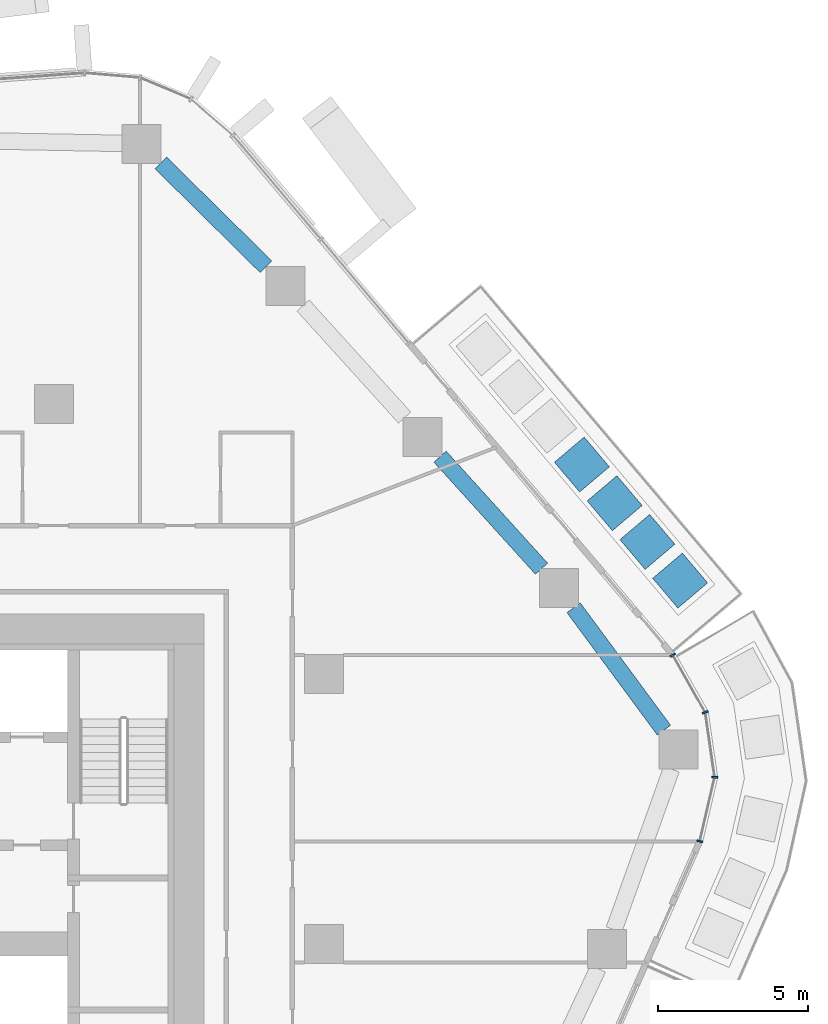
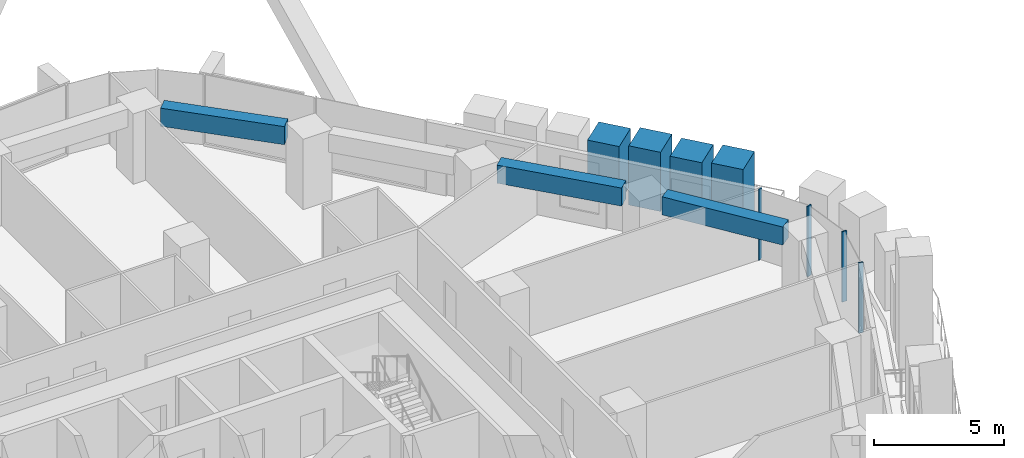
# One storey, part 8 of 24: 8 members, 3 beams, 1 element without a shape of its own.
"""IFC4 building model written with IfcOpenShell, lengths in metres."""

from ifc_helpers import new_model, si_unit, direction, frame, origin, origin_2d, place, context, subcontext, project, spatial, rectangle, extrude, material, layer, layer_set, material_profile, profile_set, type_object, element, aggregate, save


model = new_model("IFC4")

# Units and contexts
model_context = context("Model", 3, precision=1e-05, world=origin(), true_north=direction((0.0, 1.0)))
body_context = subcontext(model_context, "Body", "Model", "MODEL_VIEW")
ifc_project = project(units=[si_unit("LENGTHUNIT", "METRE"), si_unit("AREAUNIT", "SQUARE_METRE"), si_unit("VOLUMEUNIT", "CUBIC_METRE"), si_unit("PLANEANGLEUNIT", "RADIAN"), si_unit("MASSUNIT", "GRAM", prefix="KILO")], contexts=[model_context])

# Site, building, storey
site_placement = place(None, origin())
site = spatial("IfcSite", under=ifc_project, at=site_placement, CompositionType="ELEMENT")
building_placement = place(site_placement, origin())
building = spatial("IfcBuilding", under=site, at=building_placement, Name="Dongbaek Canopy Tower", CompositionType="ELEMENT")
storey_placement = place(building_placement, frame((0.0, 0.0, 113.699951171875)))
storey = spatial("IfcBuildingStorey", under=building, at=storey_placement, Name="L24", CompositionType="ELEMENT", Elevation=113.699951171875)

# Curtain wall, members
ifc_material_1 = material(Name="Aluminium 6063-T6 pale anodised", Category="aluminium")
ifc_layer = layer(ifc_material_1, 0.199951171875)
ifc_layer_set = layer_set([ifc_layer], Name="CW-1 unitised tower curtain wall")
curtain_wall_type = type_object("IfcCurtainWallType", Name="CW-1 unitised tower curtain wall", PredefinedType="NOTDEFINED", material=ifc_layer_set)
curtain_wall_placement = place(storey_placement, origin())
curtain_wall = element("IfcCurtainWall", 1, at=curtain_wall_placement, inside=storey, type_object=curtain_wall_type, Name="CW-1 curtain wall K0.1", PredefinedType="NOTDEFINED")
ifc_material_2 = material(Name="Aluminium 6063-T6 pale anodised", Category="aluminium")
ifc_material_profile_1 = material_profile(ifc_material_2, rectangle(XDim=0.199951171875, YDim=0.06005859375, at=origin_2d()), Name="CW-1 mullion 60 x 200")
ifc_profile_set_1 = profile_set([ifc_material_profile_1], Name="Aluminium 6063-T6 pale anodised")
member_type_1 = type_object("IfcMemberType", Name="CW-1 mullion 60 x 200", PredefinedType="MULLION", material=ifc_profile_set_1)
member_1_placement = place(storey_placement, frame((30.52392578125, 3.428955078125, 0.0), z_axis=(0.0, 0.0, 1.0), x_axis=(0.973926640622, -0.226863171729, 0.0)))
member_1 = element("IfcMember", 2, at=member_1_placement, type_object=member_type_1, Name="CW-1 mullion K0.1.1", PredefinedType="MULLION", context=body_context, shape_type="SweptSolid", body=[
    extrude(rectangle(XDim=0.199951171875, YDim=0.06005859375, at=origin_2d()), origin(), (0.0, 0.0, 1.0), 3.300048828125),
])
member_2_placement = place(storey_placement, frame((31.021728515625, 5.565673828125, 0.0), z_axis=(0.0, 0.0, 1.0), x_axis=(0.999092616209, -0.042590424237, 0.0)))
member_2 = element("IfcMember", 3, at=member_2_placement, type_object=member_type_1, Name="CW-1 mullion K0.1.2", PredefinedType="MULLION", context=body_context, shape_type="SweptSolid", body=[
    extrude(rectangle(XDim=0.199951171875, YDim=0.06005859375, at=origin_2d()), origin(), (0.0, 0.0, 1.0), 3.300048828125),
])
member_3_placement = place(storey_placement, frame((30.708984375, 7.7275390625, 0.0), z_axis=(0.0, 0.0, 1.0), x_axis=(0.946074291916, 0.323949740201, 0.0)))
member_3 = element("IfcMember", 4, at=member_3_placement, type_object=member_type_1, Name="CW-1 mullion K0.1.3", PredefinedType="MULLION", context=body_context, shape_type="SweptSolid", body=[
    extrude(rectangle(XDim=0.199951171875, YDim=0.06005859375, at=origin_2d()), origin(), (0.0, 0.0, 1.0), 3.300048828125),
])
member_4_placement = place(storey_placement, frame((29.626220703125, 9.6357421875, 0.0), z_axis=(0.0, 0.0, 1.0), x_axis=(0.869723883779, 0.493538616507, 0.0)))
member_4 = element("IfcMember", 5, at=member_4_placement, type_object=member_type_1, Name="CW-1 mullion K0.1.4", PredefinedType="MULLION", context=body_context, shape_type="SweptSolid", body=[
    extrude(rectangle(XDim=0.199951171875, YDim=0.06005859375, at=origin_2d()), origin(), (0.0, 0.0, 1.0), 3.300048828125),
])
aggregate(curtain_wall, [member_1, member_2, member_3, member_4])

# Beams
ifc_material_3 = material(Name="Concrete C80", Category="concrete")
ifc_material_profile_2 = material_profile(ifc_material_3, rectangle(XDim=0.550048828125, YDim=0.85009765625, at=origin_2d()), Name="RC EDGE BEAM 550x850 C80")
ifc_profile_set_2 = profile_set([ifc_material_profile_2], Name="Concrete C80")
beam_type = type_object("IfcBeamType", Name="RC EDGE BEAM 550x850 C80", PredefinedType="BEAM", material=ifc_profile_set_2)
beam_1_placement = place(storey_placement, frame((12.56689453125, 26.032470703125, 2.875), z_axis=(0.711707070228, -0.702476366995, 0.0), x_axis=(0.702476366995, 0.711707070228, 0.0)))
element("IfcBeam", 6, at=beam_1_placement, inside=storey, type_object=beam_type, Name="EDGEBEAM:L24:17", PredefinedType="BEAM", context=body_context, shape_type="SweptSolid", body=[
    extrude(rectangle(XDim=0.550048828125, YDim=0.85009765625, at=origin_2d()), origin(), (0.0, 0.0, 1.0), 4.91943359375),
])
beam_2_placement = place(storey_placement, frame((21.86865234375, 16.248046875, 2.875), z_axis=(0.671270897358, -0.74121210349, 0.0), x_axis=(0.74121210349, 0.671270897358, 0.0)))
element("IfcBeam", 7, at=beam_2_placement, inside=storey, type_object=beam_type, Name="EDGEBEAM:L24:19", PredefinedType="BEAM", context=body_context, shape_type="SweptSolid", body=[
    extrude(rectangle(XDim=0.550048828125, YDim=0.85009765625, at=origin_2d()), origin(), (0.0, 0.0, 1.0), 5.04052734375),
])
beam_3_placement = place(storey_placement, frame((26.320556640625, 11.2119140625, 2.875), z_axis=(0.593780308667, -0.804627208736, 0.0), x_axis=(0.804627208736, 0.593780308667, 0.0)))
element("IfcBeam", 8, at=beam_3_placement, inside=storey, type_object=beam_type, Name="EDGEBEAM:L24:20", PredefinedType="BEAM", context=body_context, shape_type="SweptSolid", body=[
    extrude(rectangle(XDim=0.550048828125, YDim=0.85009765625, at=origin_2d()), origin(), (0.0, 0.0, 1.0), 5.070556640625),
])

# Members
ifc_material_4 = material(Name="Concrete C40/50 planter mass with planting", Category="concrete")
ifc_material_profile_3 = material_profile(ifc_material_4, rectangle(XDim=1.300048828125, YDim=1.300048828125, at=origin_2d()), Name="Terrace PLANTER shrub mass 1300 x 1300")
ifc_profile_set_3 = profile_set([ifc_material_profile_3], Name="Concrete C40/50 planter mass with planting")
member_type_2 = type_object("IfcMemberType", Name="Terrace PLANTER shrub mass 1300 x 1300", PredefinedType="USERDEFINED", material=ifc_profile_set_3)
member_5_placement = place(storey_placement, frame((29.871337890625, 12.11669921875, 0.420166015625), z_axis=(0.0, 0.0, 1.0), x_axis=(0.763289924972, 0.646056104712, 0.0)))
element("IfcMember", 9, at=member_5_placement, inside=storey, type_object=member_type_2, Name="Planter shrubs L24 1.1", ObjectType="PLANTER", PredefinedType="USERDEFINED", context=body_context, shape_type="SweptSolid", body=[
    extrude(rectangle(XDim=1.300048828125, YDim=1.300048828125, at=origin_2d()), origin(), (0.0, 0.0, 1.0), 2.769775390625),
])
member_6_placement = place(storey_placement, frame((28.780029296875, 13.406005859375, 0.420166015625), z_axis=(0.0, 0.0, 1.0), x_axis=(0.763289924972, 0.646056104712, 0.0)))
element("IfcMember", 10, at=member_6_placement, inside=storey, type_object=member_type_2, Name="Planter shrubs L24 1.2", ObjectType="PLANTER", PredefinedType="USERDEFINED", context=body_context, shape_type="SweptSolid", body=[
    extrude(rectangle(XDim=1.300048828125, YDim=1.300048828125, at=origin_2d()), origin(), (0.0, 0.0, 1.0), 2.68994140625),
])
member_7_placement = place(storey_placement, frame((27.688720703125, 14.695556640625, 0.420166015625), z_axis=(0.0, 0.0, 1.0), x_axis=(0.763289924972, 0.646056104712, 0.0)))
element("IfcMember", 11, at=member_7_placement, inside=storey, type_object=member_type_2, Name="Planter shrubs L24 1.3", ObjectType="PLANTER", PredefinedType="USERDEFINED", context=body_context, shape_type="SweptSolid", body=[
    extrude(rectangle(XDim=1.300048828125, YDim=1.300048828125, at=origin_2d()), origin(), (0.0, 0.0, 1.0), 2.77978515625),
])
member_8_placement = place(storey_placement, frame((26.597412109375, 15.98486328125, 0.420166015625), z_axis=(0.0, 0.0, 1.0), x_axis=(0.763289924972, 0.646056104712, 0.0)))
element("IfcMember", 12, at=member_8_placement, inside=storey, type_object=member_type_2, Name="Planter shrubs L24 1.4", ObjectType="PLANTER", PredefinedType="USERDEFINED", context=body_context, shape_type="SweptSolid", body=[
    extrude(rectangle(XDim=1.300048828125, YDim=1.300048828125, at=origin_2d()), origin(), (0.0, 0.0, 1.0), 2.64990234375),
])

save(model, "model.ifc")
